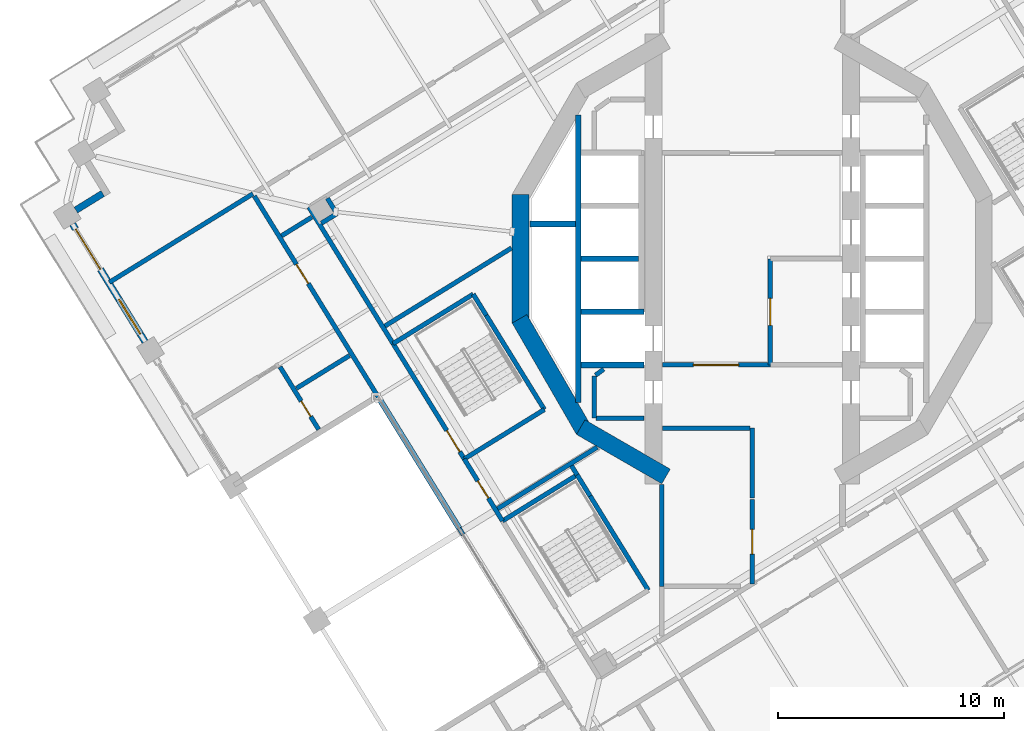
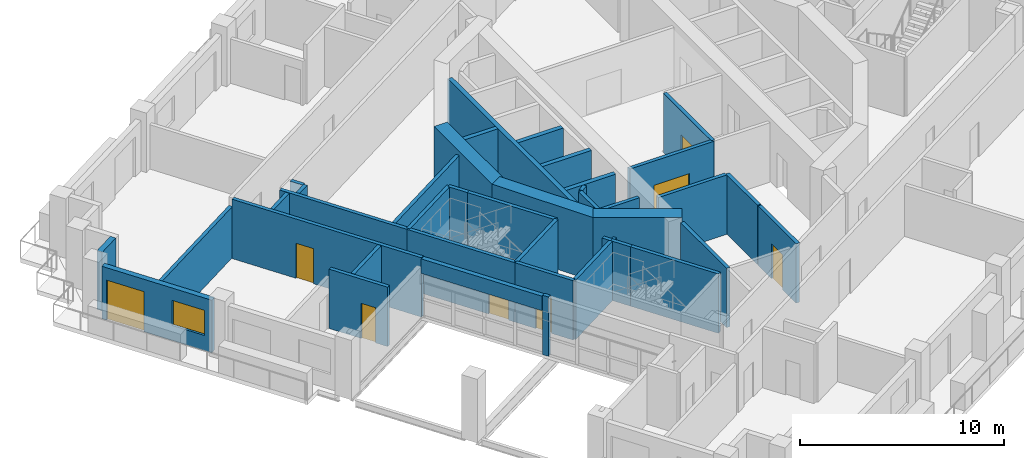
# One storey, part 8 of 22: 41 walls, 8 doors, 1 window, 9 openings.
"""IFC4 building model written with IfcOpenShell, lengths in metres."""

from ifc_helpers import new_model, si_unit, direction, frame, frame_2d, origin, place, context, subcontext, project, spatial, rectangle, extrude, material, layer, layer_set, type_object, element, fill, save


model = new_model("IFC4")

# Units and contexts
model_context = context("Model", 3, precision=1e-05, world=origin(), true_north=direction((0.0, 1.0)))
body_context = subcontext(model_context, "Body", "Model", "MODEL_VIEW")
ifc_project = project(units=[si_unit("LENGTHUNIT", "METRE"), si_unit("AREAUNIT", "SQUARE_METRE"), si_unit("VOLUMEUNIT", "CUBIC_METRE"), si_unit("PLANEANGLEUNIT", "RADIAN"), si_unit("MASSUNIT", "GRAM", prefix="KILO")], contexts=[model_context])

# Site, building, storey
site_placement = place(None, origin())
site = spatial("IfcSite", under=ifc_project, at=site_placement, CompositionType="ELEMENT")
building_placement = place(site_placement, origin())
building = spatial("IfcBuilding", under=site, at=building_placement, Name="Cantera Rosa Tower", CompositionType="ELEMENT")
storey_placement = place(building_placement, frame((0.0, 0.0, 162.800048828125)))
storey = spatial("IfcBuildingStorey", under=building, at=storey_placement, Name="L35", CompositionType="ELEMENT", Elevation=162.800048828125)

# Wall, opening, door
ifc_material_1 = material(Name="Gypsum board partition")
ifc_layer_1 = layer(ifc_material_1, 0.199951171875)
ifc_layer_set_1 = layer_set([ifc_layer_1], Name="CORRIDOR WALL 200 H3550")
wall_type_1 = type_object("IfcWallType", Name="CORRIDOR WALL 200 H3550", PredefinedType="PARTITIONING", material=ifc_layer_set_1)
wall_1_placement = place(storey_placement, frame((-22.037109375, 2.77392578125, 0.0), z_axis=(0.0, 0.0, 1.0), x_axis=(0.52495747355, -0.851128457381, 0.0)))
wall_1 = element("IfcWall", 1, at=wall_1_placement, inside=storey, type_object=wall_type_1, Name="CORRIDOR WALL L35-003", PredefinedType="PARTITIONING", context=body_context, shape_type="SweptSolid", body=[
    extrude(rectangle(XDim=10.544921875, YDim=0.199951171875, at=frame_2d((5.2724609375, 0.0))), origin(), (0.0, 0.0, 1.0), 3.550048828125),
])
opening_1_placement = place(wall_1_placement, frame((3.550048828125, 0.0, 0.0)))
opening_1 = element("IfcOpeningElement", 2, at=opening_1_placement, cuts=wall_1, Name="Opening L35-036", PredefinedType="OPENING", context=body_context, shape_type="SweptSolid", body=[
    extrude(rectangle(XDim=1.0, YDim=2.10009765625, at=frame_2d((0.5, 1.050048828125))), frame((0.0, 0.10986328125, 0.0), z_axis=(0.0, -1.0, 0.0), x_axis=(1.0, 0.0, 0.0)), (0.0, 0.0, 1.0), 0.219970703125),
])
ifc_material_2 = material(Name="Timber door leaf", Category="wood")
door_type_1 = type_object("IfcDoorType", Name="ENTRANCE DOOR 1000x2100", OperationType="NOTDEFINED", PredefinedType="DOOR", material=ifc_material_2)
door_1_placement = place(opening_1_placement, origin())
door_1 = element("IfcDoor", 3, at=door_1_placement, inside=storey, type_object=door_type_1, Name="DOOR L35-036", OperationType="NOTDEFINED", OverallHeight=2.10009765625, OverallWidth=1.0, PredefinedType="DOOR", context=body_context, shape_type="SweptSolid", body=[
    extrude(rectangle(XDim=1.0, YDim=2.10009765625, at=frame_2d((0.5, 1.050048828125))), frame((0.0, 0.02490234375, 0.0), z_axis=(0.0, -1.0, 0.0), x_axis=(1.0, 0.0, 0.0)), (0.0, 0.0, 1.0), 0.050048828125),
])
fill(opening_1, door_1)

# Walls
wall_2_placement = place(storey_placement, frame((-12.96875, -11.92822265625, 0.0), z_axis=(0.0, 0.0, 1.0), x_axis=(0.525163997389, -0.851001043388, 0.0)))
element("IfcWall", 4, at=wall_2_placement, inside=storey, type_object=wall_type_1, Name="CORRIDOR WALL L35-004", PredefinedType="PARTITIONING", context=body_context, shape_type="SweptSolid", body=[
    extrude(rectangle(XDim=0.33203125, YDim=0.199951171875, at=frame_2d((0.166015625, 0.0))), origin(), (0.0, 0.0, 1.0), 3.550048828125),
])
wall_3_placement = place(storey_placement, frame((-20.8349609375, 1.015380859375, 0.0), z_axis=(0.0, 0.0, 1.0), x_axis=(0.851143253059, 0.52493348414, 0.0)))
element("IfcWall", 5, at=wall_3_placement, inside=storey, type_object=wall_type_1, Name="CORRIDOR WALL L35-007", PredefinedType="PARTITIONING", context=body_context, shape_type="SweptSolid", body=[
    extrude(rectangle(XDim=1.579833984375, YDim=0.199951171875, at=frame_2d((0.7900390625, 0.0))), origin(), (0.0, 0.0, 1.0), 3.550048828125),
])
wall_4_placement = place(storey_placement, frame((-19.623291015625, 2.2890625, 0.0), z_axis=(0.0, 0.0, 1.0), x_axis=(0.524973806956, -0.851118383076, 0.0)))
element("IfcWall", 6, at=wall_4_placement, inside=storey, type_object=wall_type_1, Name="CORRIDOR WALL L35-009", PredefinedType="PARTITIONING", context=body_context, shape_type="SweptSolid", body=[
    extrude(rectangle(XDim=7.100830078125, YDim=0.199951171875, at=frame_2d((3.55029296875, 0.0))), origin(), (0.0, 0.0, 1.0), 3.550048828125),
])

# Wall, opening, door
wall_5_placement = place(storey_placement, frame((-12.74560546875, -8.861328125, 0.0), z_axis=(0.0, 0.0, 1.0), x_axis=(0.524959112102, -0.851127446756, 0.0)))
wall_5 = element("IfcWall", 7, at=wall_5_placement, inside=storey, type_object=wall_type_1, Name="CORRIDOR WALL L35-017", PredefinedType="PARTITIONING", context=body_context, shape_type="SweptSolid", body=[
    extrude(rectangle(XDim=3.223876953125, YDim=0.199951171875, at=frame_2d((1.61181640625, 0.0))), origin(), (0.0, 0.0, 1.0), 3.550048828125),
])
opening_2_placement = place(wall_5_placement, frame((1.139404296875, 0.0, 0.0)))
opening_2 = element("IfcOpeningElement", 8, at=opening_2_placement, cuts=wall_5, Name="Opening L35-008", PredefinedType="OPENING", context=body_context, shape_type="SweptSolid", body=[
    extrude(rectangle(XDim=0.89990234375, YDim=2.10009765625, at=frame_2d((0.449951171875, 1.050048828125))), frame((0.0, 0.10986328125, 0.0), z_axis=(0.0, -1.0, 0.0), x_axis=(1.0, 0.0, 0.0)), (0.0, 0.0, 1.0), 0.219970703125),
])
ifc_material_3 = material(Name="Timber door leaf", Category="wood")
door_type_2 = type_object("IfcDoorType", Name="SERVICE DOOR 900x2100", OperationType="NOTDEFINED", PredefinedType="DOOR", material=ifc_material_3)
door_2_placement = place(opening_2_placement, origin())
door_2 = element("IfcDoor", 9, at=door_2_placement, inside=storey, type_object=door_type_2, Name="DOOR L35-008", OperationType="NOTDEFINED", OverallHeight=2.10009765625, OverallWidth=0.89990234375, PredefinedType="DOOR", context=body_context, shape_type="SweptSolid", body=[
    extrude(rectangle(XDim=0.89990234375, YDim=2.10009765625, at=frame_2d((0.449951171875, 1.050048828125))), frame((0.0, 0.02490234375, 0.0), z_axis=(0.0, -1.0, 0.0), x_axis=(1.0, 0.0, 0.0)), (0.0, 0.0, 1.0), 0.050048828125),
])
fill(opening_2, door_2)

wall_6_placement = place(storey_placement, frame((0.0, -14.392822265625, 0.0), z_axis=(0.0, 0.0, 1.0), x_axis=(0.0, 1.0, 0.0)))
wall_6 = element("IfcWall", 10, at=wall_6_placement, inside=storey, type_object=wall_type_1, Name="CORRIDOR WALL L35-064", PredefinedType="PARTITIONING", context=body_context, shape_type="SweptSolid", body=[
    extrude(rectangle(XDim=3.737548828125, YDim=0.199951171875, at=frame_2d((1.86865234375, 0.0))), origin(), (0.0, 0.0, 1.0), 3.550048828125),
])
opening_3_placement = place(wall_6_placement, frame((1.31884765625, 0.0, 0.0)))
opening_3 = element("IfcOpeningElement", 11, at=opening_3_placement, cuts=wall_6, Name="Opening L35-016", PredefinedType="OPENING", context=body_context, shape_type="SweptSolid", body=[
    extrude(rectangle(XDim=1.10009765625, YDim=2.10009765625, at=frame_2d((0.550048828125, 1.050048828125))), frame((0.0, 0.10986328125, 0.0), z_axis=(0.0, -1.0, 0.0), x_axis=(1.0, 0.0, 0.0)), (0.0, 0.0, 1.0), 0.219970703125),
])
ifc_material_4 = material(Name="Timber door leaf", Category="wood")
door_type_3 = type_object("IfcDoorType", Name="ROOM DOOR 1100x2100", OperationType="NOTDEFINED", PredefinedType="DOOR", material=ifc_material_4)
door_3_placement = place(opening_3_placement, origin())
door_3 = element("IfcDoor", 12, at=door_3_placement, inside=storey, type_object=door_type_3, Name="DOOR L35-016", OperationType="NOTDEFINED", OverallHeight=2.10009765625, OverallWidth=1.10009765625, PredefinedType="DOOR", context=body_context, shape_type="SweptSolid", body=[
    extrude(rectangle(XDim=1.10009765625, YDim=2.10009765625, at=frame_2d((0.550048828125, 1.050048828125))), frame((0.0, 0.02490234375, 0.0), z_axis=(0.0, -1.0, 0.0), x_axis=(1.0, 0.0, 0.0)), (0.0, 0.0, 1.0), 0.050048828125),
])
fill(opening_3, door_3)

# Walls
wall_7_placement = place(storey_placement, frame((0.0, -10.59521484375, 0.0), z_axis=(0.0, 0.0, 1.0), x_axis=(0.0, 1.0, 0.0)))
element("IfcWall", 13, at=wall_7_placement, inside=storey, type_object=wall_type_1, Name="CORRIDOR WALL L35-065", PredefinedType="PARTITIONING", context=body_context, shape_type="SweptSolid", body=[
    extrude(rectangle(XDim=3.09521484375, YDim=0.199951171875, at=frame_2d((1.547607421875, 0.0))), origin(), (0.0, 0.0, 1.0), 3.550048828125),
])
wall_8_placement = place(storey_placement, frame((-0.10009765625, -7.5, 0.0), z_axis=(0.0, 0.0, 1.0), x_axis=(-1.0, 0.0, 0.0)))
element("IfcWall", 14, at=wall_8_placement, inside=storey, type_object=wall_type_1, Name="CORRIDOR WALL L35-066", PredefinedType="PARTITIONING", context=body_context, shape_type="SweptSolid", body=[
    extrude(rectangle(XDim=3.869873046875, YDim=0.199951171875, at=frame_2d((1.93505859375, 0.0))), origin(), (0.0, 0.0, 1.0), 3.550048828125),
])

# Wall, opening, door
wall_9_placement = place(storey_placement, frame((0.800048828125, -4.699951171875, 0.0), z_axis=(0.0, 0.0, 1.0), x_axis=(-1.0, 0.0, 0.0)))
wall_9 = element("IfcWall", 15, at=wall_9_placement, inside=storey, type_object=wall_type_1, Name="CORRIDOR WALL L35-068", PredefinedType="PARTITIONING", context=body_context, shape_type="SweptSolid", body=[
    extrude(rectangle(XDim=4.77001953125, YDim=0.199951171875, at=frame_2d((2.385009765625, 0.0))), origin(), (0.0, 0.0, 1.0), 3.550048828125),
])
opening_4_placement = place(wall_9_placement, frame((1.39990234375, 0.0, 0.0)))
opening_4 = element("IfcOpeningElement", 16, at=opening_4_placement, cuts=wall_9, Name="Opening L35-014", PredefinedType="OPENING", context=body_context, shape_type="SweptSolid", body=[
    extrude(rectangle(XDim=2.0, YDim=2.10009765625, at=frame_2d((1.0, 1.050048828125))), frame((0.0, 0.10986328125, 0.0), z_axis=(0.0, -1.0, 0.0), x_axis=(1.0, 0.0, 0.0)), (0.0, 0.0, 1.0), 0.219970703125),
])
ifc_material_5 = material(Name="Steel S355J2 (EN 10025-2)", Category="steel")
door_type_4 = type_object("IfcDoorType", Name="LOBBY SCREEN DOOR 2000x2100", OperationType="NOTDEFINED", PredefinedType="DOOR", material=ifc_material_5)
door_4_placement = place(opening_4_placement, origin())
door_4 = element("IfcDoor", 17, at=door_4_placement, inside=storey, type_object=door_type_4, Name="DOOR L35-014", OperationType="NOTDEFINED", OverallHeight=2.10009765625, OverallWidth=2.0, PredefinedType="DOOR", context=body_context, shape_type="SweptSolid", body=[
    extrude(rectangle(XDim=2.0, YDim=2.10009765625, at=frame_2d((1.0, 1.050048828125))), frame((0.0, 0.02490234375, 0.0), z_axis=(0.0, -1.0, 0.0), x_axis=(1.0, 0.0, 0.0)), (0.0, 0.0, 1.0), 0.050048828125),
])
fill(opening_4, door_4)

# Wall
ifc_material_6 = material(Name="Hollow clay masonry with cantera stone cladding", Category="masonry")
ifc_layer_2 = layer(ifc_material_6, 0.300048828125)
ifc_layer_set_2 = layer_set([ifc_layer_2], Name="EW-LOGGIA 300")
wall_type_2 = type_object("IfcWallType", Name="EW-LOGGIA 300", PredefinedType="SOLIDWALL", material=ifc_layer_set_2)
wall_10_placement = place(storey_placement, frame((-28.74658203125, 2.888916015625, 0.0), z_axis=(0.0, 0.0, 1.0), x_axis=(-0.851040987269, -0.525099264891, 0.0)))
element("IfcWall", 18, at=wall_10_placement, inside=storey, type_object=wall_type_2, Name="EN-L35-W14b", PredefinedType="SOLIDWALL", context=body_context, shape_type="SweptSolid", body=[
    extrude(rectangle(XDim=1.39990234375, YDim=0.300048828125, at=frame_2d((0.699951171875, 0.0))), origin(), (0.0, 0.0, 1.0), 3.5),
])

# Wall, openings, window, door
ifc_material_7 = material(Name="Hollow clay masonry with cantera stone cladding", Category="masonry")
ifc_layer_3 = layer(ifc_material_7, 0.300048828125)
ifc_layer_set_3 = layer_set([ifc_layer_3], Name="EW-LOGGIA 300 H3140")
wall_type_3 = type_object("IfcWallType", Name="EW-LOGGIA 300 H3140", PredefinedType="SOLIDWALL", material=ifc_layer_set_3)
wall_11_placement = place(storey_placement, frame((-30.084716796875, 1.53466796875, 0.0), z_axis=(0.0, 0.0, 1.0), x_axis=(0.524987447654, -0.851109969279, 0.0)))
wall_11 = element("IfcWall", 19, at=wall_11_placement, inside=storey, type_object=wall_type_3, Name="EN-L35-W15", PredefinedType="SOLIDWALL", context=body_context, shape_type="SweptSolid", body=[
    extrude(rectangle(XDim=6.119873046875, YDim=0.300048828125, at=frame_2d((3.06005859375, 0.0))), origin(), (0.0, 0.0, 1.0), 3.139892578125),
])
opening_5_placement = place(wall_11_placement, frame((0.2548828125, 0.0, 0.0)))
opening_5 = element("IfcOpeningElement", 20, at=opening_5_placement, cuts=wall_11, Name="Opening L35-TD21", PredefinedType="OPENING", context=body_context, shape_type="SweptSolid", body=[
    extrude(rectangle(XDim=2.10009765625, YDim=2.39990234375, at=frame_2d((1.050048828125, 1.199951171875))), frame((0.0, 0.159912109375, 0.0), z_axis=(0.0, -1.0, 0.0), x_axis=(1.0, 0.0, 0.0)), (0.0, 0.0, 1.0), 0.320068359375),
])
opening_6_placement = place(wall_11_placement, frame((3.9150390625, 0.0, 0.89990234375)))
opening_6 = element("IfcOpeningElement", 21, at=opening_6_placement, cuts=wall_11, Name="Opening L35-W22", PredefinedType="OPENING", context=body_context, shape_type="SweptSolid", body=[
    extrude(rectangle(XDim=1.800048828125, YDim=1.5, at=frame_2d((0.89990234375, 0.75))), frame((0.0, 0.159912109375, 0.0), z_axis=(0.0, -1.0, 0.0), x_axis=(1.0, 0.0, 0.0)), (0.0, 0.0, 1.0), 0.320068359375),
])
ifc_material_8 = material(Name="Aluminium frame with clear glass", Category="aluminium")
window_type = type_object("IfcWindowType", Name="Hotel room window 1800x1500", PartitioningType="DOUBLE_PANEL_VERTICAL", PredefinedType="WINDOW", material=ifc_material_8)
window_placement = place(opening_6_placement, origin())
window = element("IfcWindow", 22, at=window_placement, inside=storey, type_object=window_type, Name="WINDOW L35-W22", OverallHeight=1.5, OverallWidth=1.800048828125, PartitioningType="SINGLE_PANEL", PredefinedType="WINDOW", context=body_context, shape_type="SweptSolid", body=[
    extrude(rectangle(XDim=1.800048828125, YDim=1.5, at=frame_2d((0.89990234375, 0.75))), frame((0.0, 0.030029296875, 0.0), z_axis=(0.0, -1.0, 0.0), x_axis=(1.0, 0.0, 0.0)), (0.0, 0.0, 1.0), 0.06005859375),
])
fill(opening_6, window)
ifc_material_9 = material(Name="Aluminium frame with clear glass", Category="aluminium")
door_type_5 = type_object("IfcDoorType", Name="TD-H 2100x2400", OperationType="NOTDEFINED", PredefinedType="DOOR", material=ifc_material_9)
door_5_placement = place(opening_5_placement, origin())
door_5 = element("IfcDoor", 23, at=door_5_placement, inside=storey, type_object=door_type_5, Name="LOGGIA DOOR L35-TD21", OperationType="SLIDING_TO_LEFT", OverallHeight=2.39990234375, OverallWidth=2.10009765625, PredefinedType="DOOR", context=body_context, shape_type="SweptSolid", body=[
    extrude(rectangle(XDim=2.10009765625, YDim=2.39990234375, at=frame_2d((1.050048828125, 1.199951171875))), frame((0.0, 0.02490234375, 0.0), z_axis=(0.0, -1.0, 0.0), x_axis=(1.0, 0.0, 0.0)), (0.0, 0.0, 1.0), 0.050048828125),
])
fill(opening_5, door_5)

# Walls
ifc_material_10 = material(Name="Hollow clay masonry with cantera stone cladding", Category="masonry")
ifc_layer_4 = layer(ifc_material_10, 0.25)
ifc_layer_set_4 = layer_set([ifc_layer_4], Name="EW-POCKET REAR 250")
wall_type_4 = type_object("IfcWallType", Name="EW-POCKET REAR 250", PredefinedType="SOLIDWALL", material=ifc_layer_set_4)
wall_12_placement = place(storey_placement, frame((-16.50146484375, -6.201171875, 2.634033203125), z_axis=(0.0, 0.0, 1.0), x_axis=(0.524999975848, -0.851102241426, 0.0)))
element("IfcWall", 24, at=wall_12_placement, inside=storey, type_object=wall_type_4, Name="POCKET SPANDREL L35-1", PredefinedType="SOLIDWALL", context=body_context, shape_type="SweptSolid", body=[
    extrude(rectangle(XDim=6.72900390625, YDim=0.25, at=frame_2d((3.364501953125, 0.0))), origin(), (0.0, 0.0, 1.0), 0.865966796875),
])
ifc_material_11 = material(Name="Gypsum board partition")
ifc_layer_5 = layer(ifc_material_11, 0.199951171875)
ifc_layer_set_5 = layer_set([ifc_layer_5], Name="PARTITION 200 H2650")
wall_type_5 = type_object("IfcWallType", Name="PARTITION 200 H2650", PredefinedType="PARTITIONING", material=ifc_layer_set_5)
wall_13_placement = place(storey_placement, frame((-6.859619140625, -8.34326171875, 0.0), z_axis=(0.0, 0.0, 1.0), x_axis=(-0.851117537744, -0.524975177455, 0.0)))
element("IfcWall", 25, at=wall_13_placement, inside=storey, type_object=wall_type_5, Name="PARTITION L35-046", PredefinedType="PARTITIONING", context=body_context, shape_type="SweptSolid", body=[
    extrude(rectangle(XDim=5.181640625, YDim=0.199951171875, at=frame_2d((2.5908203125, 0.0))), origin(), (0.0, 0.0, 1.0), 2.64990234375),
])

# Wall, opening, door
ifc_material_12 = material(Name="Gypsum board partition")
ifc_layer_6 = layer(ifc_material_12, 0.199951171875)
ifc_layer_set_6 = layer_set([ifc_layer_6], Name="PARTITION 200 H3550")
wall_type_6 = type_object("IfcWallType", Name="PARTITION 200 H3550", PredefinedType="PARTITIONING", material=ifc_layer_set_6)
wall_14_placement = place(storey_placement, frame((-20.89990234375, -4.7841796875, 0.0), z_axis=(0.0, 0.0, 1.0), x_axis=(0.524946663519, -0.851135124678, 0.0)))
wall_14 = element("IfcWall", 26, at=wall_14_placement, inside=storey, type_object=wall_type_6, Name="PARTITION L35-006", PredefinedType="PARTITIONING", context=body_context, shape_type="SweptSolid", body=[
    extrude(rectangle(XDim=3.255126953125, YDim=0.199951171875, at=frame_2d((1.62744140625, 0.0))), origin(), (0.0, 0.0, 1.0), 3.550048828125),
])
opening_7_placement = place(wall_14_placement, frame((1.780029296875, 0.0, 0.0)))
opening_7 = element("IfcOpeningElement", 27, at=opening_7_placement, cuts=wall_14, Name="Opening L35-038", PredefinedType="OPENING", context=body_context, shape_type="SweptSolid", body=[
    extrude(rectangle(XDim=0.800048828125, YDim=2.10009765625, at=frame_2d((0.39990234375, 1.050048828125))), frame((0.0, 0.10986328125, 0.0), z_axis=(0.0, -1.0, 0.0), x_axis=(1.0, 0.0, 0.0)), (0.0, 0.0, 1.0), 0.219970703125),
])
ifc_material_13 = material(Name="Timber door leaf", Category="wood")
door_type_6 = type_object("IfcDoorType", Name="BATHROOM DOOR 800x2100", OperationType="NOTDEFINED", PredefinedType="DOOR", material=ifc_material_13)
door_6_placement = place(opening_7_placement, origin())
door_6 = element("IfcDoor", 28, at=door_6_placement, inside=storey, type_object=door_type_6, Name="DOOR L35-038", OperationType="NOTDEFINED", OverallHeight=2.10009765625, OverallWidth=0.800048828125, PredefinedType="DOOR", context=body_context, shape_type="SweptSolid", body=[
    extrude(rectangle(XDim=0.800048828125, YDim=2.10009765625, at=frame_2d((0.39990234375, 1.050048828125))), frame((0.0, 0.02490234375, 0.0), z_axis=(0.0, -1.0, 0.0), x_axis=(1.0, 0.0, 0.0)), (0.0, 0.0, 1.0), 0.050048828125),
])
fill(opening_7, door_6)

# Walls
wall_15_placement = place(storey_placement, frame((-20.173095703125, -5.734130859375, 0.0), z_axis=(0.0, 0.0, 1.0), x_axis=(0.851089839436, 0.525020080767, 0.0)))
element("IfcWall", 29, at=wall_15_placement, inside=storey, type_object=wall_type_6, Name="PARTITION L35-008", PredefinedType="PARTITIONING", context=body_context, shape_type="SweptSolid", body=[
    extrude(rectangle(XDim=2.759765625, YDim=0.199951171875, at=frame_2d((1.3798828125, 0.0))), origin(), (0.0, 0.0, 1.0), 3.550048828125),
])
wall_16_placement = place(storey_placement, frame((-19.065673828125, 1.575439453125, 0.0), z_axis=(0.0, 0.0, 1.0), x_axis=(0.85101860469, 0.525135539144, 0.0)))
element("IfcWall", 30, at=wall_16_placement, inside=storey, type_object=wall_type_6, Name="PARTITION L35-010", PredefinedType="PARTITIONING", context=body_context, shape_type="SweptSolid", body=[
    extrude(rectangle(XDim=0.800048828125, YDim=0.199951171875, at=frame_2d((0.39990234375, 0.0))), origin(), (0.0, 0.0, 1.0), 3.550048828125),
])
wall_17_placement = place(storey_placement, frame((-18.437255859375, 2.08056640625, 0.0), z_axis=(0.0, 0.0, 1.0), x_axis=(-0.524817119332, 0.851215008829, 0.0)))
element("IfcWall", 31, at=wall_17_placement, inside=storey, type_object=wall_type_6, Name="PARTITION L35-011", PredefinedType="PARTITIONING", context=body_context, shape_type="SweptSolid", body=[
    extrude(rectangle(XDim=0.7001953125, YDim=0.199951171875, at=frame_2d((0.35009765625, 0.0))), origin(), (0.0, 0.0, 1.0), 3.550048828125),
])
wall_18_placement = place(storey_placement, frame((-10.6552734375, 0.477294921875, 0.0), z_axis=(0.0, 0.0, 1.0), x_axis=(-0.851128054326, -0.524958127035, 0.0)))
element("IfcWall", 32, at=wall_18_placement, inside=storey, type_object=wall_type_6, Name="PARTITION L35-023", PredefinedType="PARTITIONING", context=body_context, shape_type="SweptSolid", body=[
    extrude(rectangle(XDim=6.58154296875, YDim=0.199951171875, at=frame_2d((3.290771484375, 0.0))), origin(), (0.0, 0.0, 1.0), 3.550048828125),
])
wall_19_placement = place(storey_placement, frame((-7.749267578125, -9.5673828125, 0.0), z_axis=(0.0, 0.0, 1.0), x_axis=(-0.525043930166, 0.851075126763, 0.0)))
element("IfcWall", 33, at=wall_19_placement, inside=storey, type_object=wall_type_6, Name="PARTITION L35-033", PredefinedType="PARTITIONING", context=body_context, shape_type="SweptSolid", body=[
    extrude(rectangle(XDim=0.474853515625, YDim=0.199951171875, at=frame_2d((0.2373046875, 0.0))), origin(), (0.0, 0.0, 1.0), 3.550048828125),
])
wall_20_placement = place(storey_placement, frame((-7.0, -7.050048828125, 0.0), z_axis=(0.0, 0.0, 1.0), x_axis=(0.0, 1.0, 0.0)))
element("IfcWall", 34, at=wall_20_placement, inside=storey, type_object=wall_type_6, Name="PARTITION L35-042", PredefinedType="PARTITIONING", context=body_context, shape_type="SweptSolid", body=[
    extrude(rectangle(XDim=1.85009765625, YDim=0.199951171875, at=frame_2d((0.925048828125, 0.0))), origin(), (0.0, 0.0, 1.0), 3.550048828125),
])
wall_21_placement = place(storey_placement, frame((-6.935302734375, -5.15283203125, 0.0), z_axis=(0.0, 0.0, 1.0), x_axis=(0.808147744029, 0.58897981614, 0.0)))
element("IfcWall", 35, at=wall_21_placement, inside=storey, type_object=wall_type_6, Name="PARTITION L35-043", PredefinedType="PARTITIONING", context=body_context, shape_type="SweptSolid", body=[
    extrude(rectangle(XDim=0.448974609375, YDim=0.199951171875, at=frame_2d((0.224609375, 0.0))), origin(), (0.0, 0.0, 1.0), 3.550048828125),
])
wall_22_placement = place(storey_placement, frame((-4.780029296875, -7.050048828125, 0.0), z_axis=(0.0, 0.0, 1.0), x_axis=(-1.0, 0.0, 0.0)))
element("IfcWall", 36, at=wall_22_placement, inside=storey, type_object=wall_type_6, Name="PARTITION L35-052", PredefinedType="PARTITIONING", context=body_context, shape_type="SweptSolid", body=[
    extrude(rectangle(XDim=2.139892578125, YDim=0.199951171875, at=frame_2d((1.06982421875, 0.0))), origin(), (0.0, 0.0, 1.0), 3.550048828125),
])
wall_23_placement = place(storey_placement, frame((-4.0, -9.994140625, 0.0), z_axis=(0.0, 0.0, 1.0), x_axis=(0.0, -1.0, 0.0)))
element("IfcWall", 37, at=wall_23_placement, inside=storey, type_object=wall_type_6, Name="PARTITION L35-058", PredefinedType="PARTITIONING", context=body_context, shape_type="SweptSolid", body=[
    extrude(rectangle(XDim=4.505859375, YDim=0.199951171875, at=frame_2d((2.2529296875, 0.0))), origin(), (0.0, 0.0, 1.0), 3.550048828125),
])
ifc_material_14 = material(Name="Gypsum board partition")
ifc_layer_7 = layer(ifc_material_14, 0.199951171875)
ifc_layer_set_7 = layer_set([ifc_layer_7], Name="PARTY WALL 200 H3050")
wall_type_7 = type_object("IfcWallType", Name="PARTY WALL 200 H3050", PredefinedType="PARTITIONING", material=ifc_layer_set_7)
wall_24_placement = place(storey_placement, frame((-22.10009765625, 2.876220703125, 0.0), z_axis=(0.0, 0.0, 1.0), x_axis=(-0.85111586596, -0.524977887831, 0.0)))
element("IfcWall", 38, at=wall_24_placement, inside=storey, type_object=wall_type_7, Name="PARTY WALL L35-002", PredefinedType="PARTITIONING", context=body_context, shape_type="SweptSolid", body=[
    extrude(rectangle(XDim=7.469970703125, YDim=0.199951171875, at=frame_2d((3.73486328125, 0.0))), origin(), (0.0, 0.0, 1.0), 3.050048828125),
])
ifc_material_15 = material(Name="Concrete C60/75", Category="concrete")
ifc_layer_8 = layer(ifc_material_15, 0.75)
ifc_layer_set_8 = layer_set([ifc_layer_8], Name="RC CORE WALL 750 C60/75")
wall_type_8 = type_object("IfcWallType", Name="RC CORE WALL 750 C60/75", PredefinedType="SHEAR", material=ifc_layer_set_8)
wall_25_placement = place(storey_placement, frame((-3.8125, -9.634765625, 0.0), z_axis=(0.0, 0.0, 1.0), x_axis=(-0.866013176292, 0.50002117804, 0.0)))
element("IfcWall", 39, at=wall_25_placement, inside=storey, type_object=wall_type_8, Name="CW-W1 L35", PredefinedType="SHEAR", context=body_context, shape_type="SweptSolid", body=[
    extrude(rectangle(XDim=4.362548828125, YDim=0.75, at=frame_2d((2.18115234375, 0.0))), origin(), (0.0, 0.0, 1.0), 3.800048828125),
])
wall_26_placement = place(storey_placement, frame((-7.453369140625, -7.590576171875, 0.0), z_axis=(0.0, 0.0, 1.0), x_axis=(-0.500021842983, 0.866012792365, 0.0)))
element("IfcWall", 40, at=wall_26_placement, inside=storey, type_object=wall_type_8, Name="CW-W2 L35", PredefinedType="SHEAR", context=body_context, shape_type="SweptSolid", body=[
    extrude(rectangle(XDim=5.694091796875, YDim=0.75, at=frame_2d((2.84716796875, 0.0))), origin(), (0.0, 0.0, 1.0), 3.800048828125),
])
wall_27_placement = place(storey_placement, frame((-10.250244140625, -2.846923828125, 0.0), z_axis=(0.0, 0.0, 1.0), x_axis=(0.0, 1.0, 0.0)))
element("IfcWall", 41, at=wall_27_placement, inside=storey, type_object=wall_type_8, Name="CW-W3 L35", PredefinedType="SHEAR", context=body_context, shape_type="SweptSolid", body=[
    extrude(rectangle(XDim=5.69384765625, YDim=0.75, at=frame_2d((2.846923828125, 0.0))), origin(), (0.0, 0.0, 1.0), 3.800048828125),
])
ifc_material_16 = material(Name="Masonry blockwork", Category="masonry")
ifc_layer_9 = layer(ifc_material_16, 0.25)
ifc_layer_set_9 = layer_set([ifc_layer_9], Name="SHAFT WALL 250 H3550")
wall_type_9 = type_object("IfcWallType", Name="SHAFT WALL 250 H3550", PredefinedType="SOLIDWALL", material=ifc_layer_set_9)
wall_28_placement = place(storey_placement, frame((-9.84521484375, 1.539306640625, 0.0), z_axis=(0.0, 0.0, 1.0), x_axis=(1.0, 0.0, 0.0)))
element("IfcWall", 42, at=wall_28_placement, inside=storey, type_object=wall_type_9, Name="SHAFT WALL L35-025", PredefinedType="SOLIDWALL", context=body_context, shape_type="SweptSolid", body=[
    extrude(rectangle(XDim=2.020263671875, YDim=0.25, at=frame_2d((1.01025390625, 0.0))), origin(), (0.0, 0.0, 1.0), 3.550048828125),
])
wall_29_placement = place(storey_placement, frame((-7.574951171875, -2.35009765625, 0.0), z_axis=(0.0, 0.0, 1.0), x_axis=(1.0, 0.0, 0.0)))
element("IfcWall", 43, at=wall_29_placement, inside=storey, type_object=wall_type_9, Name="SHAFT WALL L35-034", PredefinedType="SOLIDWALL", context=body_context, shape_type="SweptSolid", body=[
    extrude(rectangle(XDim=2.794921875, YDim=0.25, at=frame_2d((1.3974609375, 0.0))), origin(), (0.0, 0.0, 1.0), 3.550048828125),
])
wall_30_placement = place(storey_placement, frame((-7.574951171875, 0.0, 0.0), z_axis=(0.0, 0.0, 1.0), x_axis=(1.0, 0.0, 0.0)))
element("IfcWall", 44, at=wall_30_placement, inside=storey, type_object=wall_type_9, Name="SHAFT WALL L35-035", PredefinedType="SOLIDWALL", context=body_context, shape_type="SweptSolid", body=[
    extrude(rectangle(XDim=2.550048828125, YDim=0.25, at=frame_2d((1.27490234375, 0.0))), origin(), (0.0, 0.0, 1.0), 3.550048828125),
])
wall_31_placement = place(storey_placement, frame((-7.699951171875, 6.353515625, 0.0), z_axis=(0.0, 0.0, 1.0), x_axis=(0.0, -1.0, 0.0)))
element("IfcWall", 45, at=wall_31_placement, inside=storey, type_object=wall_type_9, Name="SHAFT WALL L35-038", PredefinedType="SOLIDWALL", context=body_context, shape_type="SweptSolid", body=[
    extrude(rectangle(XDim=12.70703125, YDim=0.25, at=frame_2d((6.353515625, 0.0))), origin(), (0.0, 0.0, 1.0), 3.550048828125),
])
wall_32_placement = place(storey_placement, frame((-4.780029296875, -4.699951171875, 0.0), z_axis=(0.0, 0.0, 1.0), x_axis=(-1.0, 0.0, 0.0)))
element("IfcWall", 46, at=wall_32_placement, inside=storey, type_object=wall_type_9, Name="SHAFT WALL L35-053", PredefinedType="SOLIDWALL", context=body_context, shape_type="SweptSolid", body=[
    extrude(rectangle(XDim=2.794921875, YDim=0.25, at=frame_2d((1.3974609375, 0.0))), origin(), (0.0, 0.0, 1.0), 3.550048828125),
])

# Wall, opening, door
ifc_material_17 = material(Name="Concrete C50/60", Category="concrete")
ifc_layer_10 = layer(ifc_material_17, 0.199951171875)
ifc_layer_set_10 = layer_set([ifc_layer_10], Name="STAIR WALL 200 H3550")
wall_type_10 = type_object("IfcWallType", Name="STAIR WALL 200 H3550", PredefinedType="SOLIDWALL", material=ifc_layer_set_10)
wall_33_placement = place(storey_placement, frame((-15.8955078125, -3.754638671875, 0.0), z_axis=(0.0, 0.0, 1.0), x_axis=(0.524982543144, -0.851112994493, 0.0)))
wall_33 = element("IfcWall", 47, at=wall_33_placement, inside=storey, type_object=wall_type_10, Name="STAIR WALL L35-014", PredefinedType="SOLIDWALL", context=body_context, shape_type="SweptSolid", body=[
    extrude(rectangle(XDim=6.0, YDim=0.199951171875, at=frame_2d((3.0, 0.0))), origin(), (0.0, 0.0, 1.0), 3.550048828125),
])
opening_8_placement = place(wall_33_placement, frame((4.52490234375, 0.0, 0.0)))
opening_8 = element("IfcOpeningElement", 48, at=opening_8_placement, cuts=wall_33, Name="Opening L35-002", PredefinedType="OPENING", context=body_context, shape_type="SweptSolid", body=[
    extrude(rectangle(XDim=1.10009765625, YDim=2.10009765625, at=frame_2d((0.550048828125, 1.050048828125))), frame((0.0, 0.10986328125, 0.0), z_axis=(0.0, -1.0, 0.0), x_axis=(1.0, 0.0, 0.0)), (0.0, 0.0, 1.0), 0.219970703125),
])
ifc_material_18 = material(Name="Steel S355J2 (EN 10025-2)", Category="steel")
door_type_7 = type_object("IfcDoorType", Name="STAIR DOOR 1100x2100", OperationType="NOTDEFINED", PredefinedType="DOOR", material=ifc_material_18)
door_7_placement = place(opening_8_placement, origin())
door_7 = element("IfcDoor", 49, at=door_7_placement, inside=storey, type_object=door_type_7, Name="DOOR L35-002", OperationType="NOTDEFINED", OverallHeight=2.10009765625, OverallWidth=1.10009765625, PredefinedType="DOOR", context=body_context, shape_type="SweptSolid", body=[
    extrude(rectangle(XDim=1.10009765625, YDim=2.10009765625, at=frame_2d((0.550048828125, 1.050048828125))), frame((0.0, 0.02490234375, 0.0), z_axis=(0.0, -1.0, 0.0), x_axis=(1.0, 0.0, 0.0)), (0.0, 0.0, 1.0), 0.050048828125),
])
fill(opening_8, door_7)

# Walls
for number, where, z_axis, x_axis, name in (
    (50, (-12.74560546875, -8.861328125, 0.0), (0.0, 0.0, 1.0), (0.851120688733, 0.524970068871, 0.0), "STAIR WALL L35-018"),
    (51, (-12.349365234375, -1.5673828125, 0.0), (0.0, 0.0, 1.0), (-0.851120688733, -0.524970068871, 0.0), "STAIR WALL L35-020"),
):
    element("IfcWall", number, at=place(storey_placement, frame(where, z_axis=z_axis, x_axis=x_axis)), inside=storey, type_object=wall_type_10, Name=name, PredefinedType="SOLIDWALL", context=body_context, shape_type="SweptSolid", body=[
        extrude(rectangle(XDim=4.16650390625, YDim=0.199951171875, at=frame_2d((2.083251953125, 0.0))), origin(), (0.0, 0.0, 1.0), 3.550048828125),
    ])
wall_34_placement = place(storey_placement, frame((-11.05322265625, -11.605224609375, 0.0), z_axis=(0.0, 0.0, 1.0), x_axis=(0.851124503894, 0.524963883397, 0.0)))
element("IfcWall", 52, at=wall_34_placement, inside=storey, type_object=wall_type_10, Name="STAIR WALL L35-022", PredefinedType="SOLIDWALL", context=body_context, shape_type="SweptSolid", body=[
    extrude(rectangle(XDim=3.8818359375, YDim=0.199951171875, at=frame_2d((1.94091796875, 0.0))), origin(), (0.0, 0.0, 1.0), 3.550048828125),
])
for number, where, z_axis, x_axis, name in (
    (53, (-9.199462890625, -6.674072265625, 0.0), (0.0, 0.0, 1.0), (-0.524942245614, 0.851137849452, 0.0), "STAIR WALL L35-027"),
    (54, (-4.599365234375, -14.674072265625, 0.0), (0.0, 0.0, 1.0), (-0.524978338244, 0.85111558814, 0.0), "STAIR WALL L35-055"),
):
    element("IfcWall", number, at=place(storey_placement, frame(where, z_axis=z_axis, x_axis=x_axis)), inside=storey, type_object=wall_type_10, Name=name, PredefinedType="SOLIDWALL", context=body_context, shape_type="SweptSolid", body=[
        extrude(rectangle(XDim=4.900146484375, YDim=0.199951171875, at=frame_2d((2.4501953125, 0.0))), origin(), (0.0, 0.0, 1.0), 3.550048828125),
    ])

# Wall, opening, door
wall_35_placement = place(storey_placement, frame((0.800048828125, -4.699951171875, 0.0), z_axis=(0.0, 0.0, 1.0), x_axis=(0.0, 1.0, 0.0)))
wall_35 = element("IfcWall", 55, at=wall_35_placement, inside=storey, type_object=wall_type_10, Name="STAIR WALL L35-069", PredefinedType="SOLIDWALL", context=body_context, shape_type="SweptSolid", body=[
    extrude(rectangle(XDim=4.699951171875, YDim=0.199951171875, at=frame_2d((2.35009765625, 0.0))), origin(), (0.0, 0.0, 1.0), 3.550048828125),
])
opening_9_placement = place(wall_35_placement, frame((1.75, 0.0, 0.0)))
opening_9 = element("IfcOpeningElement", 56, at=opening_9_placement, cuts=wall_35, Name="Opening L35-015", PredefinedType="OPENING", context=body_context, shape_type="SweptSolid", body=[
    extrude(rectangle(XDim=1.199951171875, YDim=2.10009765625, at=frame_2d((0.60009765625, 1.050048828125))), frame((0.0, 0.10986328125, 0.0), z_axis=(0.0, -1.0, 0.0), x_axis=(1.0, 0.0, 0.0)), (0.0, 0.0, 1.0), 0.219970703125),
])
ifc_material_19 = material(Name="Steel S355J2 (EN 10025-2)", Category="steel")
door_type_8 = type_object("IfcDoorType", Name="FIRE DOOR 1200x2100", OperationType="NOTDEFINED", PredefinedType="DOOR", material=ifc_material_19)
door_8_placement = place(opening_9_placement, origin())
door_8 = element("IfcDoor", 57, at=door_8_placement, inside=storey, type_object=door_type_8, Name="DOOR L35-015", OperationType="NOTDEFINED", OverallHeight=2.10009765625, OverallWidth=1.199951171875, PredefinedType="DOOR", context=body_context, shape_type="SweptSolid", body=[
    extrude(rectangle(XDim=1.199951171875, YDim=2.10009765625, at=frame_2d((0.60009765625, 1.050048828125))), frame((0.0, 0.02490234375, 0.0), z_axis=(0.0, -1.0, 0.0), x_axis=(1.0, 0.0, 0.0)), (0.0, 0.0, 1.0), 0.050048828125),
])
fill(opening_9, door_8)

# Walls
for number, where, z_axis, x_axis, name in (
    (58, (-11.771728515625, -2.50341796875, 0.0), (0.0, 0.0, 1.0), (-0.525162052325, 0.851002243709, 0.0), "STAIR WALL L35-027 J"),
    (59, (-7.171875, -10.50341796875, 0.0), (0.0, 0.0, 1.0), (-0.52500127828, 0.851101438023, 0.0), "STAIR WALL L35-055 J"),
):
    element("IfcWall", number, at=place(storey_placement, frame(where, z_axis=z_axis, x_axis=x_axis)), inside=storey, type_object=wall_type_10, Name=name, PredefinedType="SOLIDWALL", context=body_context, shape_type="SweptSolid", body=[
        extrude(rectangle(XDim=1.099853515625, YDim=0.199951171875, at=frame_2d((0.5498046875, 0.0))), origin(), (0.0, 0.0, 1.0), 3.550048828125),
    ])

save(model, "model.ifc")
